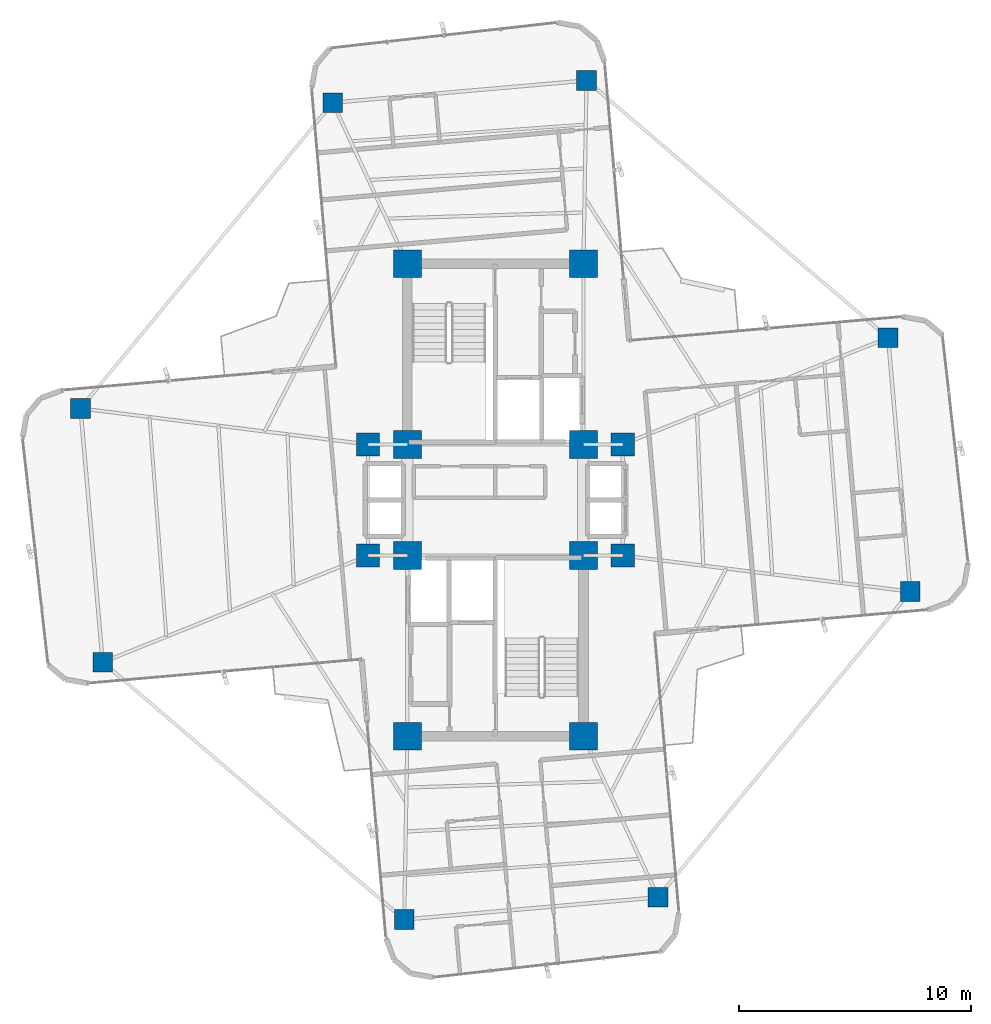
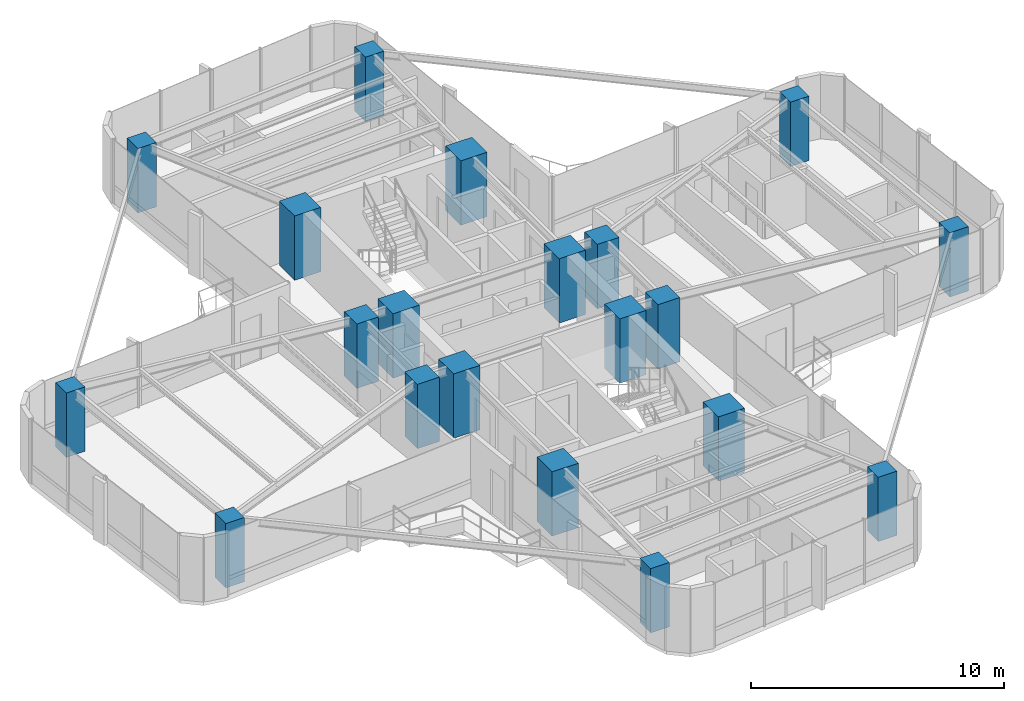
# One storey, part 1 of 24: 20 columns.
"""IFC4 building model written with IfcOpenShell, lengths in metres."""

from ifc_helpers import new_model, si_unit, direction, frame, origin, origin_2d, place, context, subcontext, project, spatial, rectangle, extrude, source, transform, mapped, material, material_profile, profile_set, type_object, element, save


model = new_model("IFC4")

# Units and contexts
model_context = context("Model", 3, precision=1e-05, world=origin(), true_north=direction((0.0, 1.0)))
body_context = subcontext(model_context, "Body", "Model", "MODEL_VIEW")
ifc_project = project(units=[si_unit("LENGTHUNIT", "METRE"), si_unit("AREAUNIT", "SQUARE_METRE"), si_unit("VOLUMEUNIT", "CUBIC_METRE"), si_unit("PLANEANGLEUNIT", "RADIAN"), si_unit("MASSUNIT", "GRAM", prefix="KILO")], contexts=[model_context])

# Site, building, storey
site_placement = place(None, origin())
site = spatial("IfcSite", under=ifc_project, at=site_placement, CompositionType="ELEMENT")
building_placement = place(site_placement, origin())
building = spatial("IfcBuilding", under=site, at=building_placement, Name="Sahyath Konkavel Grand Hotel", CompositionType="ELEMENT")
storey_placement = place(building_placement, frame((0.0, 0.0, 175.199951171875)))
storey = spatial("IfcBuildingStorey", under=building, at=storey_placement, Name="L48", CompositionType="ELEMENT", Elevation=175.199951171875)

# Columns
ifc_material_1 = material(Name="Concrete C50/60", Category="concrete")
ifc_material_profile_1 = material_profile(ifc_material_1, rectangle(XDim=1.199951171875, YDim=1.199951171875, at=origin_2d()), Name="RC 1200x1200")
ifc_profile_set_1 = profile_set([ifc_material_profile_1], Name="Concrete C50/60")
column_type_1 = type_object("IfcColumnType", Name="COL-RC1200", PredefinedType="COLUMN", material=ifc_profile_set_1)
shared_shape_1 = source(origin(), body_context, "Body", "SweptSolid", [
    extrude(rectangle(XDim=1.199951171875, YDim=1.199951171875, at=origin_2d()), origin(), (0.0, 0.0, 1.0), 3.110107421875),
])
for number, where, z_axis, x_axis, name in (
    (1, (-3.800048828125, 2.39990234375, 0.0), (0.0, 0.0, 1.0), (1.0, 0.0, 0.0), "L48 Core Boundary Column NC-SW"),
    (2, (3.800048828125, 2.39990234375, 0.0), (0.0, 0.0, 1.0), (1.0, 0.0, 0.0), "L48 Core Boundary Column NC-SE"),
    (3, (-3.800048828125, 10.199951171875, 0.0), (0.0, 0.0, 1.0), (1.0, 0.0, 0.0), "L48 Core Boundary Column NC-NW"),
    (4, (3.800048828125, 10.199951171875, 0.0), (0.0, 0.0, 1.0), (1.0, 0.0, 0.0), "L48 Core Boundary Column NC-NE"),
    (5, (-3.800048828125, -2.39990234375, 0.0), (0.0, 0.0, 1.0), (1.0, 0.0, 0.0), "L48 Core Boundary Column SC-NW"),
    (6, (3.800048828125, -2.39990234375, 0.0), (0.0, 0.0, 1.0), (1.0, 0.0, 0.0), "L48 Core Boundary Column SC-NE"),
    (7, (-3.800048828125, -10.199951171875, 0.0), (0.0, 0.0, 1.0), (1.0, 0.0, 0.0), "L48 Core Boundary Column SC-SW"),
    (8, (3.800048828125, -10.199951171875, 0.0), (0.0, 0.0, 1.0), (1.0, 0.0, 0.0), "L48 Core Boundary Column SC-SE"),
):
    element("IfcColumn", number, at=place(storey_placement, frame(where, z_axis=z_axis, x_axis=x_axis)), inside=storey, type_object=column_type_1, Name=name, PredefinedType="COLUMN", context=body_context, shape_type="MappedRepresentation", body=[
        mapped(shared_shape_1, transform((0.0, 0.0, 0.0), scale=1.0)),
    ])
ifc_material_profile_2 = material_profile(ifc_material_1, rectangle(XDim=1.0, YDim=1.0, at=origin_2d()), Name="RC 1000x1000")
ifc_profile_set_2 = profile_set([ifc_material_profile_2], Name="Concrete C50/60")
column_type_2 = type_object("IfcColumnType", Name="COL-RC1000", PredefinedType="COLUMN", material=ifc_profile_set_2)
shared_shape_2 = source(origin(), body_context, "Body", "SweptSolid", [
    extrude(rectangle(XDim=1.0, YDim=1.0, at=origin_2d()), origin(), (0.0, 0.0, 1.0), 3.110107421875),
])
for number, where, z_axis, x_axis, name in (
    (9, (5.5, 2.39990234375, 0.0), (0.0, 0.0, 1.0), (1.0, 0.0, 0.0), "L48 Central Spine Column HB-NE"),
    (10, (-5.5, 2.39990234375, 0.0), (0.0, 0.0, 1.0), (1.0, 0.0, 0.0), "L48 Central Spine Column HB-NW"),
    (11, (5.5, -2.39990234375, 0.0), (0.0, 0.0, 1.0), (1.0, 0.0, 0.0), "L48 Central Spine Column HB-SE"),
    (12, (-5.5, -2.39990234375, 0.0), (0.0, 0.0, 1.0), (1.0, 0.0, 0.0), "L48 Central Spine Column HB-SW"),
):
    element("IfcColumn", number, at=place(storey_placement, frame(where, z_axis=z_axis, x_axis=x_axis)), inside=storey, type_object=column_type_2, Name=name, PredefinedType="COLUMN", context=body_context, shape_type="MappedRepresentation", body=[
        mapped(shared_shape_2, transform((0.0, 0.0, 0.0), scale=1.0)),
    ])
ifc_material_2 = material(Name="Concrete C40/50", Category="concrete")
ifc_material_profile_3 = material_profile(ifc_material_2, rectangle(XDim=0.85009765625, YDim=0.85009765625, at=origin_2d()), Name="RC 850x850")
ifc_profile_set_3 = profile_set([ifc_material_profile_3], Name="Concrete C40/50")
column_type_3 = type_object("IfcColumnType", Name="COL-RC850", PredefinedType="COLUMN", material=ifc_profile_set_3)
shared_shape_3 = source(origin(), body_context, "Body", "SweptSolid", [
    extrude(rectangle(XDim=0.85009765625, YDim=0.85009765625, at=origin_2d()), origin(), (0.0, 0.0, 1.0), 3.110107421875),
])
for number, where, z_axis, x_axis, name in (
    (13, (17.912841796875, -3.953857421875, 0.0), (0.0, 0.0, 1.0), (1.0, 0.0, 0.0), "L48 Cruciform Wing Column WC-EA"),
    (14, (16.9541015625, 7.00439453125, 0.0), (0.0, 0.0, 1.0), (1.0, 0.0, 0.0), "L48 Cruciform Wing Column WC-EB"),
    (15, (3.936279296875, 18.112060546875, 0.0), (0.0, 0.0, 1.0), (1.0, 0.0, 0.0), "L48 Cruciform Wing Column WC-NA"),
    (16, (-7.021728515625, 17.1533203125, 0.0), (0.0, 0.0, 1.0), (1.0, 0.0, 0.0), "L48 Cruciform Wing Column WC-NB"),
    (17, (-17.912841796875, 3.953857421875, 0.0), (0.0, 0.0, 1.0), (1.0, 0.0, 0.0), "L48 Cruciform Wing Column WC-WA"),
    (18, (-16.9541015625, -7.00439453125, 0.0), (0.0, 0.0, 1.0), (1.0, 0.0, 0.0), "L48 Cruciform Wing Column WC-WB"),
    (19, (-3.936279296875, -18.112060546875, 0.0), (0.0, 0.0, 1.0), (1.0, 0.0, 0.0), "L48 Cruciform Wing Column WC-SA"),
    (20, (7.021728515625, -17.1533203125, 0.0), (0.0, 0.0, 1.0), (1.0, 0.0, 0.0), "L48 Cruciform Wing Column WC-SB"),
):
    element("IfcColumn", number, at=place(storey_placement, frame(where, z_axis=z_axis, x_axis=x_axis)), inside=storey, type_object=column_type_3, Name=name, PredefinedType="COLUMN", context=body_context, shape_type="MappedRepresentation", body=[
        mapped(shared_shape_3, transform((0.0, 0.0, 0.0), scale=1.0)),
    ])

save(model, "model.ifc")
